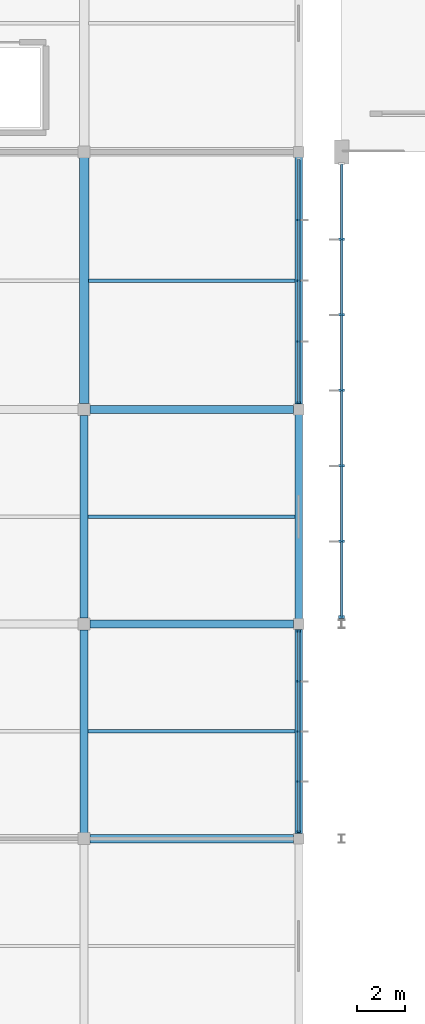
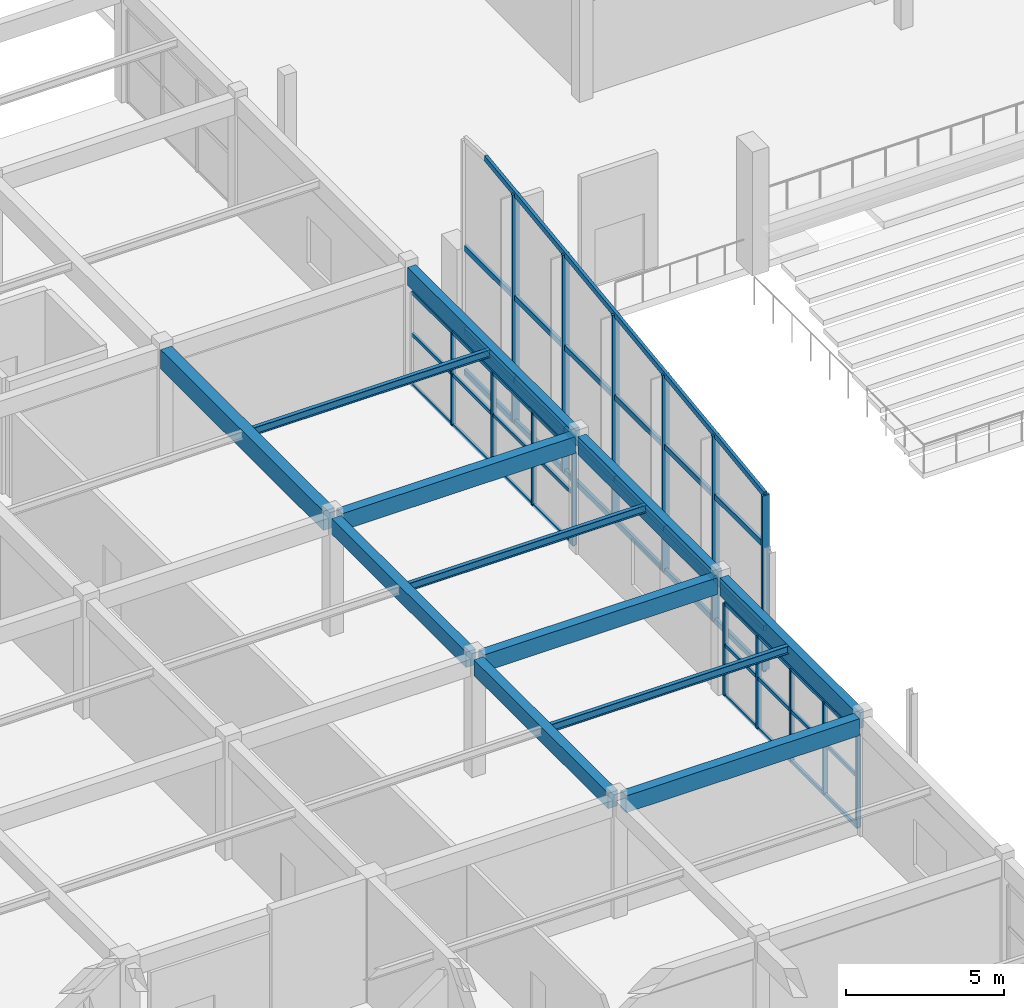
# One storey, part 22 of 74: 52 members, 12 beams, 3 elements without a shape of their own.
"""IFC4 building model written with IfcOpenShell, lengths in metres."""

from ifc_helpers import new_model, si_unit, direction, frame, origin, origin_2d, place, context, subcontext, project, spatial, rectangle, i_section, extrude, material, material_profile, profile_set, type_object, element, aggregate, save


model = new_model("IFC4")

# Units and contexts
model_context = context("Model", 3, precision=1e-05, world=origin(), true_north=direction((0.0, 1.0)))
body_context = subcontext(model_context, "Body", "Model", "MODEL_VIEW")
ifc_project = project(units=[si_unit("LENGTHUNIT", "METRE"), si_unit("AREAUNIT", "SQUARE_METRE"), si_unit("VOLUMEUNIT", "CUBIC_METRE"), si_unit("PLANEANGLEUNIT", "RADIAN"), si_unit("MASSUNIT", "GRAM", prefix="KILO")], contexts=[model_context])

# Site, building, storey
site_placement = place(None, origin())
site = spatial("IfcSite", under=ifc_project, at=site_placement, CompositionType="ELEMENT")
building_placement = place(site_placement, origin())
building = spatial("IfcBuilding", under=site, at=building_placement, Name="Suirenkawa Promenade Aquatics Centre", CompositionType="ELEMENT")
storey_placement = place(building_placement, frame((0.0, 0.0, 4.800048828125)))
storey = spatial("IfcBuildingStorey", under=building, at=storey_placement, Name="L01", CompositionType="ELEMENT", Elevation=4.800048828125)

# Beams
ifc_material_1 = material(Name="Steel IS 2062 E350 (Grade 350)", Category="steel")
ifc_material_profile_1 = material_profile(ifc_material_1, i_section(OverallWidth=0.139892578125, OverallDepth=0.300048828125, WebThickness=0.008056640625, FlangeThickness=0.012939453125, at=origin_2d()), Name="ISMB 300", Category="steel")
ifc_profile_set_1 = profile_set([ifc_material_profile_1], Name="Steel IS 2062 E350 (Grade 350)")
beam_type_1 = type_object("IfcBeamType", Name="BT-JOIST-ISMB300", PredefinedType="JOIST", material=ifc_profile_set_1)
for number, where, z_axis, x_axis, name in (
    (1, (36.1689453125, 72.89990234375, 4.387939453125), (1.0, 0.0, 0.0), (0.0, 1.0, 0.0), "Secondary floor joist JS-02 BM-0573"),
    (2, (36.1689453125, 81.89990234375, 4.387939453125), (1.0, 0.0, 0.0), (0.0, 1.0, 0.0), "Secondary floor joist JS-02 BM-0574"),
):
    element("IfcBeam", number, at=place(storey_placement, frame(where, z_axis=z_axis, x_axis=x_axis)), inside=storey, type_object=beam_type_1, Name=name, PredefinedType="JOIST", context=body_context, shape_type="SweptSolid", body=[
        extrude(i_section(OverallWidth=0.139892578125, OverallDepth=0.300048828125, WebThickness=0.008056640625, FlangeThickness=0.012939453125, at=origin_2d()), origin(), (0.0, 0.0, 1.0), 8.68701171875),
    ])
beam_1_placement = place(storey_placement, frame((36.194091796875, 91.800048828125, 4.387939453125), z_axis=(1.0, 0.0, 0.0), x_axis=(0.0, 1.0, 0.0)))
element("IfcBeam", 3, at=beam_1_placement, inside=storey, type_object=beam_type_1, Name="Secondary floor joist JS-02 BM-0575", PredefinedType="JOIST", context=body_context, shape_type="SweptSolid", body=[
    extrude(i_section(OverallWidth=0.139892578125, OverallDepth=0.300048828125, WebThickness=0.008056640625, FlangeThickness=0.012939453125, at=origin_2d()), origin(), (0.0, 0.0, 1.0), 8.661865234375),
])
ifc_material_2 = material(Name="Concrete M35", Category="concrete")
ifc_material_profile_2 = material_profile(ifc_material_2, rectangle(XDim=0.35009765625, YDim=0.60009765625, at=origin_2d()), Name="RC BM 350x600", Category="concrete")
ifc_profile_set_2 = profile_set([ifc_material_profile_2], Name="Concrete M35")
beam_type_2 = type_object("IfcBeamType", Name="BT-RC-350x600", PredefinedType="BEAM", material=ifc_profile_set_2)
for number, where, z_axis, x_axis, name in (
    (4, (36.0, 68.64404296875, 4.239990234375), (0.0, 1.0, 0.0), (-1.0, 0.0, 0.0), "Floor beam BM-02 BM-0505"),
    (5, (36.0, 77.64404296875, 4.239990234375), (0.0, 1.0, 0.0), (-1.0, 0.0, 0.0), "Floor beam BM-02 BM-0506"),
):
    element("IfcBeam", number, at=place(storey_placement, frame(where, z_axis=z_axis, x_axis=x_axis)), inside=storey, type_object=beam_type_2, Name=name, PredefinedType="BEAM", context=body_context, shape_type="SweptSolid", body=[
        extrude(rectangle(XDim=0.35009765625, YDim=0.60009765625, at=origin_2d()), origin(), (0.0, 0.0, 1.0), 8.511962890625),
    ])
ifc_material_profile_3 = material_profile(ifc_material_2, rectangle(XDim=0.35009765625, YDim=0.64990234375, at=origin_2d()), Name="RC BM 350x650", Category="concrete")
ifc_profile_set_3 = profile_set([ifc_material_profile_3], Name="Concrete M35")
beam_type_3 = type_object("IfcBeamType", Name="BT-RC-350x650", PredefinedType="BEAM", material=ifc_profile_set_3)
for number, where, z_axis, x_axis, name in (
    (6, (36.243896484375, 68.39990234375, 4.21484375), (1.0, 0.0, 0.0), (0.0, 1.0, 0.0), "Floor beam BM-03 BM-0424"),
    (7, (36.243896484375, 77.39990234375, 4.21484375), (1.0, 0.0, 0.0), (0.0, 1.0, 0.0), "Floor beam BM-03 BM-0429"),
    (8, (36.243896484375, 86.39990234375, 4.21484375), (1.0, 0.0, 0.0), (0.0, 1.0, 0.0), "Floor beam BM-03 BM-0434"),
):
    element("IfcBeam", number, at=place(storey_placement, frame(where, z_axis=z_axis, x_axis=x_axis)), inside=storey, type_object=beam_type_3, Name=name, PredefinedType="BEAM", context=body_context, shape_type="SweptSolid", body=[
        extrude(rectangle(XDim=0.35009765625, YDim=0.64990234375, at=origin_2d()), origin(), (0.0, 0.0, 1.0), 8.537109375),
    ])
ifc_material_3 = material(Name="Concrete M40", Category="concrete")
ifc_material_profile_4 = material_profile(ifc_material_3, rectangle(XDim=0.39990234375, YDim=0.75, at=origin_2d()), Name="RC BM 400x750", Category="concrete")
ifc_profile_set_4 = profile_set([ifc_material_profile_4], Name="Concrete M40")
beam_type_4 = type_object("IfcBeamType", Name="BT-RC-400x750", PredefinedType="BEAM", material=ifc_profile_set_4)
beam_2_placement = place(storey_placement, frame((36.0, 86.64404296875, 4.1650390625), z_axis=(0.0, 1.0, 0.0), x_axis=(-1.0, 0.0, 0.0)))
element("IfcBeam", 9, at=beam_2_placement, inside=storey, type_object=beam_type_4, Name="Floor beam BM-05 BM-0507", PredefinedType="BEAM", context=body_context, shape_type="SweptSolid", body=[
    extrude(rectangle(XDim=0.39990234375, YDim=0.75, at=origin_2d()), origin(), (0.0, 0.0, 1.0), 10.31201171875),
])
ifc_material_profile_5 = material_profile(ifc_material_3, rectangle(XDim=0.300048828125, YDim=0.699951171875, at=origin_2d()), Name="RC SPANDREL 300x700", Category="concrete")
ifc_profile_set_5 = profile_set([ifc_material_profile_5], Name="Concrete M40")
beam_type_5 = type_object("IfcBeamType", Name="BT-SPANDREL-300x700", PredefinedType="SPANDREL", material=ifc_profile_set_5)
for number, where, z_axis, x_axis, name in (
    (10, (45.0, 68.618896484375, 4.18994140625), (0.0, 1.0, 0.0), (-1.0, 0.0, 0.0), "Floor beam SP-01 BM-0517"),
    (11, (45.0, 77.618896484375, 4.18994140625), (0.0, 1.0, 0.0), (-1.0, 0.0, 0.0), "Floor beam SP-01 BM-0518"),
):
    element("IfcBeam", number, at=place(storey_placement, frame(where, z_axis=z_axis, x_axis=x_axis)), inside=storey, type_object=beam_type_5, Name=name, PredefinedType="SPANDREL", context=body_context, shape_type="SweptSolid", body=[
        extrude(rectangle(XDim=0.300048828125, YDim=0.699951171875, at=origin_2d()), origin(), (0.0, 0.0, 1.0), 8.56201171875),
    ])
beam_3_placement = place(storey_placement, frame((45.0, 86.618896484375, 4.18994140625), z_axis=(0.0, 1.0, 0.0), x_axis=(-1.0, 0.0, 0.0)))
element("IfcBeam", 12, at=beam_3_placement, inside=storey, type_object=beam_type_5, Name="Floor beam SP-01 BM-0519", PredefinedType="SPANDREL", context=body_context, shape_type="SweptSolid", body=[
    extrude(rectangle(XDim=0.300048828125, YDim=0.699951171875, at=origin_2d()), origin(), (0.0, 0.0, 1.0), 10.362060546875),
])

# Curtain wall, members
ifc_material_4 = material(Name="Anodised aluminium 6063-T6", Category="aluminium")
curtain_wall_type_1 = type_object("IfcCurtainWallType", Name="CWAT-V5EL01-50", PredefinedType="NOTDEFINED", material=ifc_material_4)
curtain_wall_1_placement = place(storey_placement, origin())
curtain_wall_1 = element("IfcCurtainWall", 13, at=curtain_wall_1_placement, inside=storey, type_object=curtain_wall_type_1, Name="Curtain wall CWA-50 CW-106", PredefinedType="NOTDEFINED")
ifc_material_profile_6 = material_profile(ifc_material_4, rectangle(XDim=0.090087890625, YDim=0.159912109375, at=origin_2d()), Name="ALU MULL 90x160", Category="aluminium")
ifc_profile_set_6 = profile_set([ifc_material_profile_6], Name="Anodised aluminium 6063-T6")
member_type_1 = type_object("IfcMemberType", Name="CWM-160x90", PredefinedType="MULLION", material=ifc_profile_set_6)
member_1_placement = place(storey_placement, frame((45.0, 77.10107421875, 0.0), z_axis=(0.0, 0.0, 1.0), x_axis=(0.0, -1.0, 0.0)))
member_1 = element("IfcMember", 14, at=member_1_placement, type_object=member_type_1, Name="Mullion ML-03 CWM-02121", PredefinedType="MULLION", context=body_context, shape_type="SweptSolid", body=[
    extrude(rectangle(XDim=0.090087890625, YDim=0.159912109375, at=origin_2d()), origin(), (0.0, 0.0, 1.0), 3.570068359375),
])
member_2_placement = place(storey_placement, frame((45.0, 75.00048828125, 0.0), z_axis=(0.0, 0.0, 1.0), x_axis=(0.0, -1.0, 0.0)))
member_2 = element("IfcMember", 15, at=member_2_placement, type_object=member_type_1, Name="Mullion ML-03 CWM-02122", PredefinedType="MULLION", context=body_context, shape_type="SweptSolid", body=[
    extrude(rectangle(XDim=0.090087890625, YDim=0.159912109375, at=origin_2d()), origin(), (0.0, 0.0, 1.0), 3.570068359375),
])
member_3_placement = place(storey_placement, frame((45.0, 72.89990234375, 0.0), z_axis=(0.0, 0.0, 1.0), x_axis=(0.0, -1.0, 0.0)))
member_3 = element("IfcMember", 16, at=member_3_placement, type_object=member_type_1, Name="Mullion ML-03 CWM-02123", PredefinedType="MULLION", context=body_context, shape_type="SweptSolid", body=[
    extrude(rectangle(XDim=0.090087890625, YDim=0.159912109375, at=origin_2d()), origin(), (0.0, 0.0, 1.0), 3.570068359375),
])
member_4_placement = place(storey_placement, frame((45.0, 70.799560546875, 0.0), z_axis=(0.0, 0.0, 1.0), x_axis=(0.0, -1.0, 0.0)))
member_4 = element("IfcMember", 17, at=member_4_placement, type_object=member_type_1, Name="Mullion ML-03 CWM-02124", PredefinedType="MULLION", context=body_context, shape_type="SweptSolid", body=[
    extrude(rectangle(XDim=0.090087890625, YDim=0.159912109375, at=origin_2d()), origin(), (0.0, 0.0, 1.0), 3.570068359375),
])
member_5_placement = place(storey_placement, frame((45.0, 68.698974609375, 0.0), z_axis=(0.0, 0.0, 1.0), x_axis=(0.0, -1.0, 0.0)))
member_5 = element("IfcMember", 18, at=member_5_placement, type_object=member_type_1, Name="Mullion ML-03 CWM-02125", PredefinedType="MULLION", context=body_context, shape_type="SweptSolid", body=[
    extrude(rectangle(XDim=0.090087890625, YDim=0.159912109375, at=origin_2d()), origin(), (0.0, 0.0, 1.0), 3.570068359375),
])

curtain_wall_type_2 = type_object("IfcCurtainWallType", Name="CWAT-V5EL01-53", PredefinedType="NOTDEFINED", material=ifc_material_4)
curtain_wall_2_placement = place(storey_placement, origin())
curtain_wall_2 = element("IfcCurtainWall", 19, at=curtain_wall_2_placement, inside=storey, type_object=curtain_wall_type_2, Name="Curtain wall CWA-53 CW-109", PredefinedType="NOTDEFINED")
member_6_placement = place(storey_placement, frame((45.0, 94.3505859375, 0.0), z_axis=(0.0, 0.0, 1.0), x_axis=(0.0, -1.0, 0.0)))
member_6 = element("IfcMember", 20, at=member_6_placement, type_object=member_type_1, Name="Mullion ML-03 CWM-02188", PredefinedType="MULLION", context=body_context, shape_type="SweptSolid", body=[
    extrude(rectangle(XDim=0.090087890625, YDim=0.159912109375, at=origin_2d()), origin(), (0.0, 0.0, 1.0), 3.570068359375),
])
member_7_placement = place(storey_placement, frame((45.0, 91.800048828125, 0.0), z_axis=(0.0, 0.0, 1.0), x_axis=(0.0, -1.0, 0.0)))
member_7 = element("IfcMember", 21, at=member_7_placement, type_object=member_type_1, Name="Mullion ML-03 CWM-02189", PredefinedType="MULLION", context=body_context, shape_type="SweptSolid", body=[
    extrude(rectangle(XDim=0.090087890625, YDim=0.159912109375, at=origin_2d()), origin(), (0.0, 0.0, 1.0), 3.570068359375),
])
member_8_placement = place(storey_placement, frame((45.0, 89.24951171875, 0.0), z_axis=(0.0, 0.0, 1.0), x_axis=(0.0, -1.0, 0.0)))
member_8 = element("IfcMember", 22, at=member_8_placement, type_object=member_type_1, Name="Mullion ML-03 CWM-02190", PredefinedType="MULLION", context=body_context, shape_type="SweptSolid", body=[
    extrude(rectangle(XDim=0.090087890625, YDim=0.159912109375, at=origin_2d()), origin(), (0.0, 0.0, 1.0), 3.570068359375),
])
member_9_placement = place(storey_placement, frame((45.0, 86.698974609375, 0.0), z_axis=(0.0, 0.0, 1.0), x_axis=(0.0, -1.0, 0.0)))
member_9 = element("IfcMember", 23, at=member_9_placement, type_object=member_type_1, Name="Mullion ML-03 CWM-02191", PredefinedType="MULLION", context=body_context, shape_type="SweptSolid", body=[
    extrude(rectangle(XDim=0.090087890625, YDim=0.159912109375, at=origin_2d()), origin(), (0.0, 0.0, 1.0), 3.570068359375),
])

curtain_wall_type_3 = type_object("IfcCurtainWallType", Name="CWAT-GABLEV1-04", PredefinedType="NOTDEFINED", material=ifc_material_4)
curtain_wall_3_placement = place(storey_placement, origin())
curtain_wall_3 = element("IfcCurtainWall", 24, at=curtain_wall_3_placement, inside=storey, type_object=curtain_wall_type_3, Name="Curtain wall CWA-04 CW-004", PredefinedType="NOTDEFINED")
ifc_material_profile_7 = material_profile(ifc_material_4, rectangle(XDim=0.110107421875, YDim=0.260009765625, at=origin_2d()), Name="ALU MULL 110x260", Category="aluminium")
ifc_profile_set_7 = profile_set([ifc_material_profile_7], Name="Anodised aluminium 6063-T6")
member_type_2 = type_object("IfcMemberType", Name="CWM-260x110", PredefinedType="MULLION", material=ifc_profile_set_7)
member_10_placement = place(storey_placement, frame((46.800048828125, 77.698974609375, 0.0), z_axis=(0.0, 0.0, 1.0), x_axis=(0.0, 1.0, 0.0)))
member_10 = element("IfcMember", 25, at=member_10_placement, type_object=member_type_2, Name="Mullion ML-04 CWM-00058", PredefinedType="MULLION", context=body_context, shape_type="SweptSolid", body=[
    extrude(rectangle(XDim=0.110107421875, YDim=0.260009765625, at=origin_2d()), origin(), (0.0, 0.0, 1.0), 6.7685546875),
])
member_11_placement = place(storey_placement, frame((46.800048828125, 80.865966796875, 0.0), z_axis=(0.0, 0.0, 1.0), x_axis=(0.0, 1.0, 0.0)))
member_11 = element("IfcMember", 26, at=member_11_placement, type_object=member_type_2, Name="Mullion ML-04 CWM-00059", PredefinedType="MULLION", context=body_context, shape_type="SweptSolid", body=[
    extrude(rectangle(XDim=0.110107421875, YDim=0.260009765625, at=origin_2d()), origin(), (0.0, 0.0, 1.0), 7.1767578125),
])
member_12_placement = place(storey_placement, frame((46.800048828125, 84.032958984375, 0.0), z_axis=(0.0, 0.0, 1.0), x_axis=(0.0, 1.0, 0.0)))
member_12 = element("IfcMember", 27, at=member_12_placement, type_object=member_type_2, Name="Mullion ML-04 CWM-00060", PredefinedType="MULLION", context=body_context, shape_type="SweptSolid", body=[
    extrude(rectangle(XDim=0.110107421875, YDim=0.260009765625, at=origin_2d()), origin(), (0.0, 0.0, 1.0), 7.5849609375),
])
member_13_placement = place(storey_placement, frame((46.800048828125, 87.199951171875, 0.0), z_axis=(0.0, 0.0, 1.0), x_axis=(0.0, 1.0, 0.0)))
member_13 = element("IfcMember", 28, at=member_13_placement, type_object=member_type_2, Name="Mullion ML-04 CWM-00061", PredefinedType="MULLION", context=body_context, shape_type="SweptSolid", body=[
    extrude(rectangle(XDim=0.110107421875, YDim=0.260009765625, at=origin_2d()), origin(), (0.0, 0.0, 1.0), 7.9931640625),
])
member_14_placement = place(storey_placement, frame((46.800048828125, 90.366943359375, 0.0), z_axis=(0.0, 0.0, 1.0), x_axis=(0.0, 1.0, 0.0)))
member_14 = element("IfcMember", 29, at=member_14_placement, type_object=member_type_2, Name="Mullion ML-04 CWM-00062", PredefinedType="MULLION", context=body_context, shape_type="SweptSolid", body=[
    extrude(rectangle(XDim=0.110107421875, YDim=0.260009765625, at=origin_2d()), origin(), (0.0, 0.0, 1.0), 8.4013671875),
])
member_15_placement = place(storey_placement, frame((46.800048828125, 93.533935546875, 0.0), z_axis=(0.0, 0.0, 1.0), x_axis=(0.0, 1.0, 0.0)))
member_15 = element("IfcMember", 30, at=member_15_placement, type_object=member_type_2, Name="Mullion ML-04 CWM-00063", PredefinedType="MULLION", context=body_context, shape_type="SweptSolid", body=[
    extrude(rectangle(XDim=0.110107421875, YDim=0.260009765625, at=origin_2d()), origin(), (0.0, 0.0, 1.0), 8.809326171875),
])

# Member
ifc_material_profile_8 = material_profile(ifc_material_4, rectangle(XDim=0.090087890625, YDim=0.1298828125, at=origin_2d()), Name="ALU TRAN 90x130", Category="aluminium")
ifc_profile_set_8 = profile_set([ifc_material_profile_8], Name="Anodised aluminium 6063-T6")
member_type_3 = type_object("IfcMemberType", Name="CWT-130x90", PredefinedType="USERDEFINED", material=ifc_profile_set_8)
member_16_placement = place(storey_placement, frame((45.0, 77.10107421875, 0.0), z_axis=(0.0, -1.0, 0.0), x_axis=(1.0, 0.0, 0.0)))
member_16 = element("IfcMember", 31, at=member_16_placement, type_object=member_type_3, Name="Transom TR-03 CWT-02126", ObjectType="TRANSOM", PredefinedType="USERDEFINED", context=body_context, shape_type="SweptSolid", body=[
    extrude(rectangle(XDim=0.090087890625, YDim=0.1298828125, at=origin_2d()), origin(), (0.0, 0.0, 1.0), 2.1005859375),
])

member_17_placement = place(storey_placement, frame((45.0, 75.00048828125, 0.0), z_axis=(0.0, -1.0, 0.0), x_axis=(1.0, 0.0, 0.0)))
member_17 = element("IfcMember", 32, at=member_17_placement, type_object=member_type_3, Name="Transom TR-03 CWT-02127", ObjectType="TRANSOM", PredefinedType="USERDEFINED", context=body_context, shape_type="SweptSolid", body=[
    extrude(rectangle(XDim=0.090087890625, YDim=0.1298828125, at=origin_2d()), origin(), (0.0, 0.0, 1.0), 2.1005859375),
])

member_18_placement = place(storey_placement, frame((45.0, 72.89990234375, 0.0), z_axis=(0.0, -1.0, 0.0), x_axis=(1.0, 0.0, 0.0)))
member_18 = element("IfcMember", 33, at=member_18_placement, type_object=member_type_3, Name="Transom TR-03 CWT-02128", ObjectType="TRANSOM", PredefinedType="USERDEFINED", context=body_context, shape_type="SweptSolid", body=[
    extrude(rectangle(XDim=0.090087890625, YDim=0.1298828125, at=origin_2d()), origin(), (0.0, 0.0, 1.0), 2.100341796875),
])

member_19_placement = place(storey_placement, frame((45.0, 70.799560546875, 0.0), z_axis=(0.0, -1.0, 0.0), x_axis=(1.0, 0.0, 0.0)))
member_19 = element("IfcMember", 34, at=member_19_placement, type_object=member_type_3, Name="Transom TR-03 CWT-02129", ObjectType="TRANSOM", PredefinedType="USERDEFINED", context=body_context, shape_type="SweptSolid", body=[
    extrude(rectangle(XDim=0.090087890625, YDim=0.1298828125, at=origin_2d()), origin(), (0.0, 0.0, 1.0), 2.1005859375),
])

member_20_placement = place(storey_placement, frame((45.0, 77.10107421875, 1.949951171875), z_axis=(0.0, -1.0, 0.0), x_axis=(1.0, 0.0, 0.0)))
member_20 = element("IfcMember", 35, at=member_20_placement, type_object=member_type_3, Name="Transom TR-03 CWT-02130", ObjectType="TRANSOM", PredefinedType="USERDEFINED", context=body_context, shape_type="SweptSolid", body=[
    extrude(rectangle(XDim=0.090087890625, YDim=0.1298828125, at=origin_2d()), origin(), (0.0, 0.0, 1.0), 2.1005859375),
])

member_21_placement = place(storey_placement, frame((45.0, 75.00048828125, 1.949951171875), z_axis=(0.0, -1.0, 0.0), x_axis=(1.0, 0.0, 0.0)))
member_21 = element("IfcMember", 36, at=member_21_placement, type_object=member_type_3, Name="Transom TR-03 CWT-02131", ObjectType="TRANSOM", PredefinedType="USERDEFINED", context=body_context, shape_type="SweptSolid", body=[
    extrude(rectangle(XDim=0.090087890625, YDim=0.1298828125, at=origin_2d()), origin(), (0.0, 0.0, 1.0), 2.1005859375),
])

member_22_placement = place(storey_placement, frame((45.0, 72.89990234375, 1.949951171875), z_axis=(0.0, -1.0, 0.0), x_axis=(1.0, 0.0, 0.0)))
member_22 = element("IfcMember", 37, at=member_22_placement, type_object=member_type_3, Name="Transom TR-03 CWT-02132", ObjectType="TRANSOM", PredefinedType="USERDEFINED", context=body_context, shape_type="SweptSolid", body=[
    extrude(rectangle(XDim=0.090087890625, YDim=0.1298828125, at=origin_2d()), origin(), (0.0, 0.0, 1.0), 2.100341796875),
])

member_23_placement = place(storey_placement, frame((45.0, 70.799560546875, 1.949951171875), z_axis=(0.0, -1.0, 0.0), x_axis=(1.0, 0.0, 0.0)))
member_23 = element("IfcMember", 38, at=member_23_placement, type_object=member_type_3, Name="Transom TR-03 CWT-02133", ObjectType="TRANSOM", PredefinedType="USERDEFINED", context=body_context, shape_type="SweptSolid", body=[
    extrude(rectangle(XDim=0.090087890625, YDim=0.1298828125, at=origin_2d()), origin(), (0.0, 0.0, 1.0), 2.1005859375),
])

member_24_placement = place(storey_placement, frame((45.0, 77.10107421875, 3.570068359375), z_axis=(0.0, -1.0, 0.0), x_axis=(1.0, 0.0, 0.0)))
member_24 = element("IfcMember", 39, at=member_24_placement, type_object=member_type_3, Name="Roofline transom TR-03 CWT-02134", ObjectType="TRANSOM", PredefinedType="USERDEFINED", context=body_context, shape_type="SweptSolid", body=[
    extrude(rectangle(XDim=0.090087890625, YDim=0.1298828125, at=origin_2d()), origin(), (0.0, 0.0, 1.0), 8.402099609375),
])

aggregate(curtain_wall_1, [member_1, member_2, member_3, member_4, member_5, member_16, member_17, member_18, member_19, member_20, member_21, member_22, member_23, member_24])

member_25_placement = place(storey_placement, frame((45.0, 96.90087890625, 0.0), z_axis=(0.0, -1.0, 0.0), x_axis=(1.0, 0.0, 0.0)))
member_25 = element("IfcMember", 40, at=member_25_placement, type_object=member_type_3, Name="Transom TR-03 CWT-02192", ObjectType="TRANSOM", PredefinedType="USERDEFINED", context=body_context, shape_type="SweptSolid", body=[
    extrude(rectangle(XDim=0.090087890625, YDim=0.1298828125, at=origin_2d()), origin(), (0.0, 0.0, 1.0), 2.55029296875),
])

member_26_placement = place(storey_placement, frame((45.0, 94.3505859375, 0.0), z_axis=(0.0, -1.0, 0.0), x_axis=(1.0, 0.0, 0.0)))
member_26 = element("IfcMember", 41, at=member_26_placement, type_object=member_type_3, Name="Transom TR-03 CWT-02193", ObjectType="TRANSOM", PredefinedType="USERDEFINED", context=body_context, shape_type="SweptSolid", body=[
    extrude(rectangle(XDim=0.090087890625, YDim=0.1298828125, at=origin_2d()), origin(), (0.0, 0.0, 1.0), 2.550537109375),
])

member_27_placement = place(storey_placement, frame((45.0, 91.800048828125, 0.0), z_axis=(0.0, -1.0, 0.0), x_axis=(1.0, 0.0, 0.0)))
member_27 = element("IfcMember", 42, at=member_27_placement, type_object=member_type_3, Name="Transom TR-03 CWT-02194", ObjectType="TRANSOM", PredefinedType="USERDEFINED", context=body_context, shape_type="SweptSolid", body=[
    extrude(rectangle(XDim=0.090087890625, YDim=0.1298828125, at=origin_2d()), origin(), (0.0, 0.0, 1.0), 2.550537109375),
])

member_28_placement = place(storey_placement, frame((45.0, 89.24951171875, 0.0), z_axis=(0.0, -1.0, 0.0), x_axis=(1.0, 0.0, 0.0)))
member_28 = element("IfcMember", 43, at=member_28_placement, type_object=member_type_3, Name="Transom TR-03 CWT-02195", ObjectType="TRANSOM", PredefinedType="USERDEFINED", context=body_context, shape_type="SweptSolid", body=[
    extrude(rectangle(XDim=0.090087890625, YDim=0.1298828125, at=origin_2d()), origin(), (0.0, 0.0, 1.0), 2.550537109375),
])

member_29_placement = place(storey_placement, frame((45.0, 96.90087890625, 1.949951171875), z_axis=(0.0, -1.0, 0.0), x_axis=(1.0, 0.0, 0.0)))
member_29 = element("IfcMember", 44, at=member_29_placement, type_object=member_type_3, Name="Transom TR-03 CWT-02196", ObjectType="TRANSOM", PredefinedType="USERDEFINED", context=body_context, shape_type="SweptSolid", body=[
    extrude(rectangle(XDim=0.090087890625, YDim=0.1298828125, at=origin_2d()), origin(), (0.0, 0.0, 1.0), 2.55029296875),
])

member_30_placement = place(storey_placement, frame((45.0, 94.3505859375, 1.949951171875), z_axis=(0.0, -1.0, 0.0), x_axis=(1.0, 0.0, 0.0)))
member_30 = element("IfcMember", 45, at=member_30_placement, type_object=member_type_3, Name="Transom TR-03 CWT-02197", ObjectType="TRANSOM", PredefinedType="USERDEFINED", context=body_context, shape_type="SweptSolid", body=[
    extrude(rectangle(XDim=0.090087890625, YDim=0.1298828125, at=origin_2d()), origin(), (0.0, 0.0, 1.0), 2.550537109375),
])

member_31_placement = place(storey_placement, frame((45.0, 91.800048828125, 1.949951171875), z_axis=(0.0, -1.0, 0.0), x_axis=(1.0, 0.0, 0.0)))
member_31 = element("IfcMember", 46, at=member_31_placement, type_object=member_type_3, Name="Transom TR-03 CWT-02198", ObjectType="TRANSOM", PredefinedType="USERDEFINED", context=body_context, shape_type="SweptSolid", body=[
    extrude(rectangle(XDim=0.090087890625, YDim=0.1298828125, at=origin_2d()), origin(), (0.0, 0.0, 1.0), 2.550537109375),
])

member_32_placement = place(storey_placement, frame((45.0, 89.24951171875, 1.949951171875), z_axis=(0.0, -1.0, 0.0), x_axis=(1.0, 0.0, 0.0)))
member_32 = element("IfcMember", 47, at=member_32_placement, type_object=member_type_3, Name="Transom TR-03 CWT-02199", ObjectType="TRANSOM", PredefinedType="USERDEFINED", context=body_context, shape_type="SweptSolid", body=[
    extrude(rectangle(XDim=0.090087890625, YDim=0.1298828125, at=origin_2d()), origin(), (0.0, 0.0, 1.0), 2.550537109375),
])

member_33_placement = place(storey_placement, frame((45.0, 96.90087890625, 3.570068359375), z_axis=(0.0, -1.0, 0.0), x_axis=(1.0, 0.0, 0.0)))
member_33 = element("IfcMember", 48, at=member_33_placement, type_object=member_type_3, Name="Roofline transom TR-03 CWT-02200", ObjectType="TRANSOM", PredefinedType="USERDEFINED", context=body_context, shape_type="SweptSolid", body=[
    extrude(rectangle(XDim=0.090087890625, YDim=0.1298828125, at=origin_2d()), origin(), (0.0, 0.0, 1.0), 10.201904296875),
])

aggregate(curtain_wall_2, [member_6, member_7, member_8, member_9, member_25, member_26, member_27, member_28, member_29, member_30, member_31, member_32, member_33])

ifc_material_profile_9 = material_profile(ifc_material_4, rectangle(XDim=0.110107421875, YDim=0.2099609375, at=origin_2d()), Name="ALU TRAN 110x210", Category="aluminium")
ifc_profile_set_9 = profile_set([ifc_material_profile_9], Name="Anodised aluminium 6063-T6")
member_type_4 = type_object("IfcMemberType", Name="CWT-210x110", PredefinedType="USERDEFINED", material=ifc_profile_set_9)
member_34_placement = place(storey_placement, frame((46.800048828125, 77.698974609375, 0.0), z_axis=(0.0, 1.0, 0.0), x_axis=(-1.0, 0.0, 0.0)))
member_34 = element("IfcMember", 49, at=member_34_placement, type_object=member_type_4, Name="Transom TR-04 CWT-00065", ObjectType="TRANSOM", PredefinedType="USERDEFINED", context=body_context, shape_type="SweptSolid", body=[
    extrude(rectangle(XDim=0.110107421875, YDim=0.2099609375, at=origin_2d()), origin(), (0.0, 0.0, 1.0), 3.1669921875),
])

member_35_placement = place(storey_placement, frame((46.800048828125, 80.865966796875, 0.0), z_axis=(0.0, 1.0, 0.0), x_axis=(-1.0, 0.0, 0.0)))
member_35 = element("IfcMember", 50, at=member_35_placement, type_object=member_type_4, Name="Transom TR-04 CWT-00066", ObjectType="TRANSOM", PredefinedType="USERDEFINED", context=body_context, shape_type="SweptSolid", body=[
    extrude(rectangle(XDim=0.110107421875, YDim=0.2099609375, at=origin_2d()), origin(), (0.0, 0.0, 1.0), 3.1669921875),
])

member_36_placement = place(storey_placement, frame((46.800048828125, 84.032958984375, 0.0), z_axis=(0.0, 1.0, 0.0), x_axis=(-1.0, 0.0, 0.0)))
member_36 = element("IfcMember", 51, at=member_36_placement, type_object=member_type_4, Name="Transom TR-04 CWT-00067", ObjectType="TRANSOM", PredefinedType="USERDEFINED", context=body_context, shape_type="SweptSolid", body=[
    extrude(rectangle(XDim=0.110107421875, YDim=0.2099609375, at=origin_2d()), origin(), (0.0, 0.0, 1.0), 3.1669921875),
])

member_37_placement = place(storey_placement, frame((46.800048828125, 87.199951171875, 0.0), z_axis=(0.0, 1.0, 0.0), x_axis=(-1.0, 0.0, 0.0)))
member_37 = element("IfcMember", 52, at=member_37_placement, type_object=member_type_4, Name="Transom TR-04 CWT-00068", ObjectType="TRANSOM", PredefinedType="USERDEFINED", context=body_context, shape_type="SweptSolid", body=[
    extrude(rectangle(XDim=0.110107421875, YDim=0.2099609375, at=origin_2d()), origin(), (0.0, 0.0, 1.0), 3.1669921875),
])

member_38_placement = place(storey_placement, frame((46.800048828125, 90.366943359375, 0.0), z_axis=(0.0, 1.0, 0.0), x_axis=(-1.0, 0.0, 0.0)))
member_38 = element("IfcMember", 53, at=member_38_placement, type_object=member_type_4, Name="Transom TR-04 CWT-00069", ObjectType="TRANSOM", PredefinedType="USERDEFINED", context=body_context, shape_type="SweptSolid", body=[
    extrude(rectangle(XDim=0.110107421875, YDim=0.2099609375, at=origin_2d()), origin(), (0.0, 0.0, 1.0), 3.1669921875),
])

member_39_placement = place(storey_placement, frame((46.800048828125, 93.533935546875, 0.0), z_axis=(0.0, 1.0, 0.0), x_axis=(-1.0, 0.0, 0.0)))
member_39 = element("IfcMember", 54, at=member_39_placement, type_object=member_type_4, Name="Transom TR-04 CWT-00070", ObjectType="TRANSOM", PredefinedType="USERDEFINED", context=body_context, shape_type="SweptSolid", body=[
    extrude(rectangle(XDim=0.110107421875, YDim=0.2099609375, at=origin_2d()), origin(), (0.0, 0.0, 1.0), 3.1669921875),
])

member_40_placement = place(storey_placement, frame((46.800048828125, 77.698974609375, 1.599853515625), z_axis=(0.0, 1.0, 0.0), x_axis=(-1.0, 0.0, 0.0)))
member_40 = element("IfcMember", 55, at=member_40_placement, type_object=member_type_4, Name="Transom TR-04 CWT-00071", ObjectType="TRANSOM", PredefinedType="USERDEFINED", context=body_context, shape_type="SweptSolid", body=[
    extrude(rectangle(XDim=0.110107421875, YDim=0.2099609375, at=origin_2d()), origin(), (0.0, 0.0, 1.0), 3.1669921875),
])

member_41_placement = place(storey_placement, frame((46.800048828125, 80.865966796875, 1.599853515625), z_axis=(0.0, 1.0, 0.0), x_axis=(-1.0, 0.0, 0.0)))
member_41 = element("IfcMember", 56, at=member_41_placement, type_object=member_type_4, Name="Transom TR-04 CWT-00072", ObjectType="TRANSOM", PredefinedType="USERDEFINED", context=body_context, shape_type="SweptSolid", body=[
    extrude(rectangle(XDim=0.110107421875, YDim=0.2099609375, at=origin_2d()), origin(), (0.0, 0.0, 1.0), 3.1669921875),
])

member_42_placement = place(storey_placement, frame((46.800048828125, 84.032958984375, 1.599853515625), z_axis=(0.0, 1.0, 0.0), x_axis=(-1.0, 0.0, 0.0)))
member_42 = element("IfcMember", 57, at=member_42_placement, type_object=member_type_4, Name="Transom TR-04 CWT-00073", ObjectType="TRANSOM", PredefinedType="USERDEFINED", context=body_context, shape_type="SweptSolid", body=[
    extrude(rectangle(XDim=0.110107421875, YDim=0.2099609375, at=origin_2d()), origin(), (0.0, 0.0, 1.0), 3.1669921875),
])

member_43_placement = place(storey_placement, frame((46.800048828125, 87.199951171875, 1.599853515625), z_axis=(0.0, 1.0, 0.0), x_axis=(-1.0, 0.0, 0.0)))
member_43 = element("IfcMember", 58, at=member_43_placement, type_object=member_type_4, Name="Transom TR-04 CWT-00074", ObjectType="TRANSOM", PredefinedType="USERDEFINED", context=body_context, shape_type="SweptSolid", body=[
    extrude(rectangle(XDim=0.110107421875, YDim=0.2099609375, at=origin_2d()), origin(), (0.0, 0.0, 1.0), 3.1669921875),
])

member_44_placement = place(storey_placement, frame((46.800048828125, 90.366943359375, 1.599853515625), z_axis=(0.0, 1.0, 0.0), x_axis=(-1.0, 0.0, 0.0)))
member_44 = element("IfcMember", 59, at=member_44_placement, type_object=member_type_4, Name="Transom TR-04 CWT-00075", ObjectType="TRANSOM", PredefinedType="USERDEFINED", context=body_context, shape_type="SweptSolid", body=[
    extrude(rectangle(XDim=0.110107421875, YDim=0.2099609375, at=origin_2d()), origin(), (0.0, 0.0, 1.0), 3.1669921875),
])

member_45_placement = place(storey_placement, frame((46.800048828125, 93.533935546875, 1.599853515625), z_axis=(0.0, 1.0, 0.0), x_axis=(-1.0, 0.0, 0.0)))
member_45 = element("IfcMember", 60, at=member_45_placement, type_object=member_type_4, Name="Transom TR-04 CWT-00076", ObjectType="TRANSOM", PredefinedType="USERDEFINED", context=body_context, shape_type="SweptSolid", body=[
    extrude(rectangle(XDim=0.110107421875, YDim=0.2099609375, at=origin_2d()), origin(), (0.0, 0.0, 1.0), 3.1669921875),
])

member_46_placement = place(storey_placement, frame((46.800048828125, 77.698974609375, 4.800048828125), z_axis=(0.0, 1.0, 0.0), x_axis=(-1.0, 0.0, 0.0)))
member_46 = element("IfcMember", 61, at=member_46_placement, type_object=member_type_4, Name="Transom TR-04 CWT-00077", ObjectType="TRANSOM", PredefinedType="USERDEFINED", context=body_context, shape_type="SweptSolid", body=[
    extrude(rectangle(XDim=0.110107421875, YDim=0.2099609375, at=origin_2d()), origin(), (0.0, 0.0, 1.0), 3.1669921875),
])

member_47_placement = place(storey_placement, frame((46.800048828125, 80.865966796875, 4.800048828125), z_axis=(0.0, 1.0, 0.0), x_axis=(-1.0, 0.0, 0.0)))
member_47 = element("IfcMember", 62, at=member_47_placement, type_object=member_type_4, Name="Transom TR-04 CWT-00078", ObjectType="TRANSOM", PredefinedType="USERDEFINED", context=body_context, shape_type="SweptSolid", body=[
    extrude(rectangle(XDim=0.110107421875, YDim=0.2099609375, at=origin_2d()), origin(), (0.0, 0.0, 1.0), 3.1669921875),
])

member_48_placement = place(storey_placement, frame((46.800048828125, 84.032958984375, 4.800048828125), z_axis=(0.0, 1.0, 0.0), x_axis=(-1.0, 0.0, 0.0)))
member_48 = element("IfcMember", 63, at=member_48_placement, type_object=member_type_4, Name="Transom TR-04 CWT-00079", ObjectType="TRANSOM", PredefinedType="USERDEFINED", context=body_context, shape_type="SweptSolid", body=[
    extrude(rectangle(XDim=0.110107421875, YDim=0.2099609375, at=origin_2d()), origin(), (0.0, 0.0, 1.0), 3.1669921875),
])

member_49_placement = place(storey_placement, frame((46.800048828125, 87.199951171875, 4.800048828125), z_axis=(0.0, 1.0, 0.0), x_axis=(-1.0, 0.0, 0.0)))
member_49 = element("IfcMember", 64, at=member_49_placement, type_object=member_type_4, Name="Transom TR-04 CWT-00080", ObjectType="TRANSOM", PredefinedType="USERDEFINED", context=body_context, shape_type="SweptSolid", body=[
    extrude(rectangle(XDim=0.110107421875, YDim=0.2099609375, at=origin_2d()), origin(), (0.0, 0.0, 1.0), 3.1669921875),
])

member_50_placement = place(storey_placement, frame((46.800048828125, 90.366943359375, 4.800048828125), z_axis=(0.0, 1.0, 0.0), x_axis=(-1.0, 0.0, 0.0)))
member_50 = element("IfcMember", 65, at=member_50_placement, type_object=member_type_4, Name="Transom TR-04 CWT-00081", ObjectType="TRANSOM", PredefinedType="USERDEFINED", context=body_context, shape_type="SweptSolid", body=[
    extrude(rectangle(XDim=0.110107421875, YDim=0.2099609375, at=origin_2d()), origin(), (0.0, 0.0, 1.0), 3.1669921875),
])

member_51_placement = place(storey_placement, frame((46.800048828125, 93.533935546875, 4.800048828125), z_axis=(0.0, 1.0, 0.0), x_axis=(-1.0, 0.0, 0.0)))
member_51 = element("IfcMember", 66, at=member_51_placement, type_object=member_type_4, Name="Transom TR-04 CWT-00082", ObjectType="TRANSOM", PredefinedType="USERDEFINED", context=body_context, shape_type="SweptSolid", body=[
    extrude(rectangle(XDim=0.110107421875, YDim=0.2099609375, at=origin_2d()), origin(), (0.0, 0.0, 1.0), 3.1669921875),
])

member_52_placement = place(storey_placement, frame((46.800048828125, 77.698974609375, 6.7685546875), z_axis=(0.0, 0.991795610872, 0.127833744584), x_axis=(-1.0, 0.0, 0.0)))
member_52 = element("IfcMember", 67, at=member_52_placement, type_object=member_type_4, Name="Roofline transom TR-04 CWT-00083", ObjectType="TRANSOM", PredefinedType="USERDEFINED", context=body_context, shape_type="SweptSolid", body=[
    extrude(rectangle(XDim=0.110107421875, YDim=0.2099609375, at=origin_2d()), origin(), (0.0, 0.0, 1.0), 17.847412109375),
])

aggregate(curtain_wall_3, [member_10, member_11, member_12, member_13, member_14, member_15, member_34, member_35, member_36, member_37, member_38, member_39, member_40, member_41, member_42, member_43, member_44, member_45, member_46, member_47, member_48, member_49, member_50, member_51, member_52])

save(model, "model.ifc")
